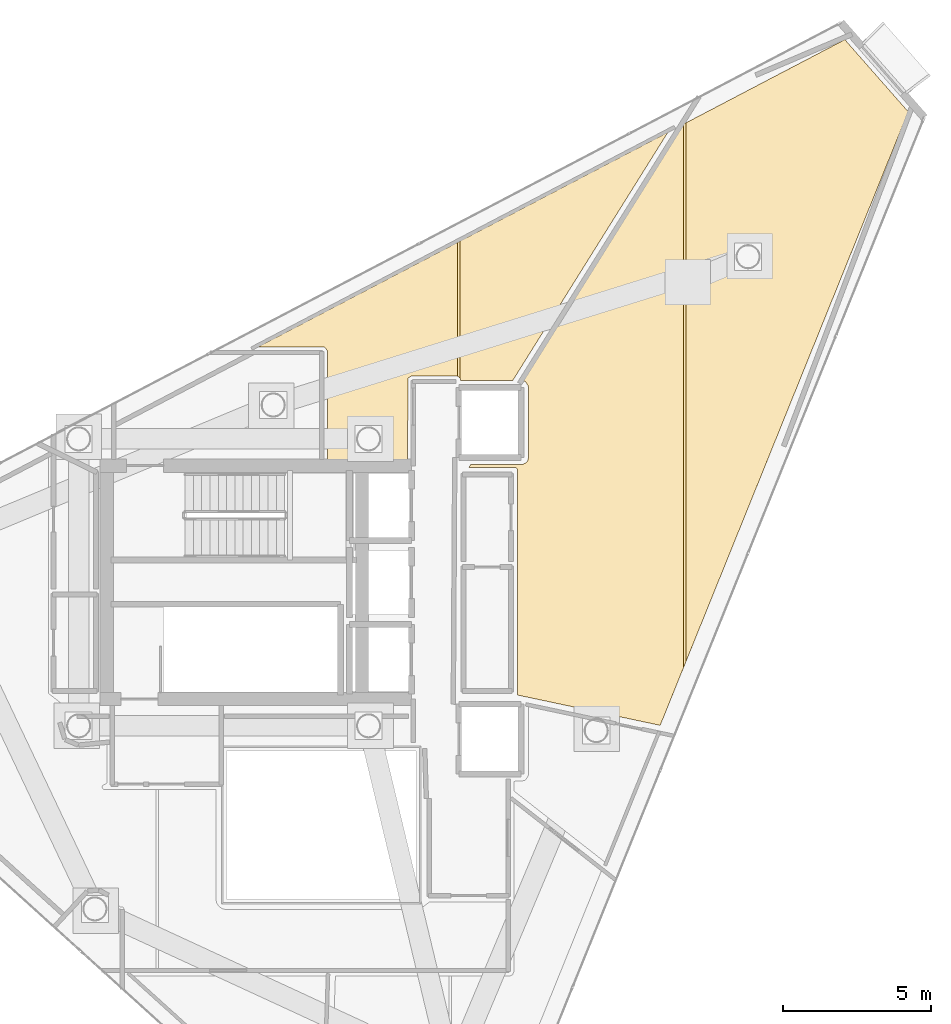
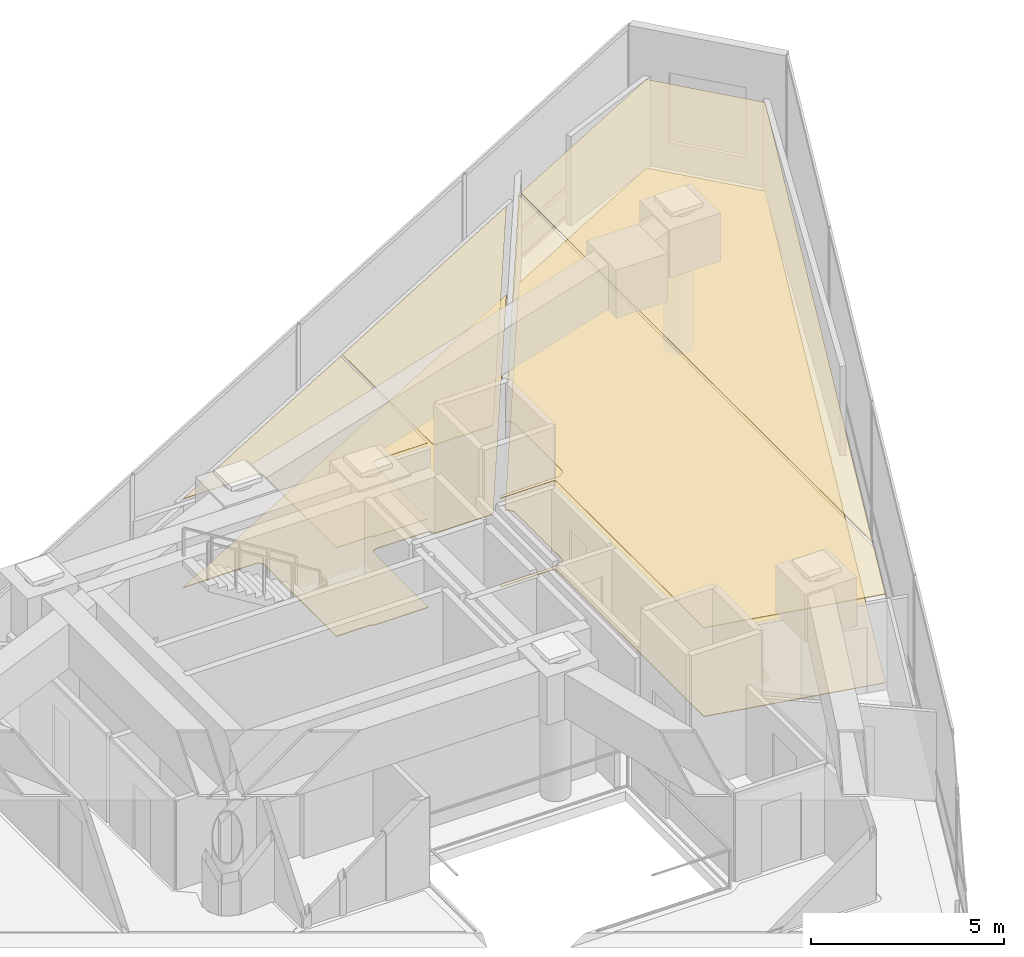
# One storey, part 17 of 17: 6 coverings.
"""IFC4 building model written with IfcOpenShell, lengths in metres."""

from ifc_helpers import new_model, si_unit, direction, frame, origin, place, context, subcontext, project, spatial, polyline, outline, extrude, material, layer, layer_set, type_object, element, save


model = new_model("IFC4")

# Units and contexts
model_context = context("Model", 3, precision=1e-05, world=origin(), true_north=direction((0.0, 1.0)))
body_context = subcontext(model_context, "Body", "Model", "MODEL_VIEW")
ifc_project = project(units=[si_unit("LENGTHUNIT", "METRE"), si_unit("AREAUNIT", "SQUARE_METRE"), si_unit("VOLUMEUNIT", "CUBIC_METRE"), si_unit("PLANEANGLEUNIT", "RADIAN"), si_unit("MASSUNIT", "GRAM", prefix="KILO")], contexts=[model_context])

# Site, building, storey
site_placement = place(None, origin())
site = spatial("IfcSite", under=ifc_project, at=site_placement, CompositionType="ELEMENT")
building_placement = place(site_placement, origin())
building = spatial("IfcBuilding", under=site, at=building_placement, Name="Qianvela Tower", CompositionType="ELEMENT")
storey_placement = place(building_placement, frame((0.0, 0.0, 351.800048828125)))
storey = spatial("IfcBuildingStorey", under=building, at=storey_placement, Name="L91", CompositionType="ELEMENT", Elevation=351.800048828125)

# Coverings
ifc_material_1 = material(Name="Perforated Mineral Acoustic Ceiling Tile")
ifc_layer_1 = layer(ifc_material_1, 0.02490234375)
ifc_layer_set_1 = layer_set([ifc_layer_1], Name="Perforated Mineral Acoustic Ceiling Tile")
covering_type_1 = type_object("IfcCoveringType", Name="COV-CEIL-ACOUSTIC-25", PredefinedType="CEILING", material=ifc_layer_set_1)
covering_1_placement = place(storey_placement, frame((0.0, 0.0, 2.794921875)))
element("IfcCovering", 1, at=covering_1_placement, inside=storey, type_object=covering_type_1, Name="L91 Acoustic Ceiling Bay 1 L91 Shared Sky Kitchen and Cafe", PredefinedType="CEILING", context=body_context, shape_type="SweptSolid", body=[
    extrude(outline(polyline([(41.85107421875, 32.679931640625), (43.580078125, 32.679931640625), (43.587890625, 32.680419921875), (43.595703125, 32.681396484375), (43.603271484375, 32.683349609375), (43.610595703125, 32.68603515625), (43.61767578125, 32.689453125), (43.734130859375, 32.751708984375), (43.740966796875, 32.755615234375), (43.747314453125, 32.760498046875), (43.7529296875, 32.765625), (43.75830078125, 32.771484375), (43.762939453125, 32.77783203125), (43.76708984375, 32.784423828125), (43.770263671875, 32.79150390625), (43.77294921875, 32.799072265625), (43.796630859375, 32.876708984375), (43.798583984375, 32.884521484375), (43.799560546875, 32.89208984375), (43.800048828125, 32.89990234375), (43.79931640625, 35.313720703125), (43.798828125, 35.321533203125), (43.7978515625, 35.329345703125), (43.7958984375, 35.3369140625), (43.793212890625, 35.34423828125), (43.789794921875, 35.351318359375), (43.785888671875, 35.358154296875), (43.71240234375, 35.468017578125), (43.707763671875, 35.47412109375), (43.70263671875, 35.47998046875), (43.69677734375, 35.4853515625), (43.6904296875, 35.489990234375), (43.683837890625, 35.493896484375), (43.6767578125, 35.497314453125), (43.669189453125, 35.5), (43.66162109375, 35.501953125), (43.654052734375, 35.503173828125), (43.617431640625, 35.506591796875), (49.04150390625, 44.187255859375), (49.05078125, 44.192138671875), (49.05078125, 25.8291015625), (48.257568359375, 23.86669921875), (43.429931640625, 24.892822265625), (43.429931640625, 32.5), (43.4296875, 32.5078125), (43.428466796875, 32.515625), (43.426513671875, 32.523193359375), (43.423828125, 32.530517578125), (43.420654296875, 32.53759765625), (43.41650390625, 32.54443359375), (43.411865234375, 32.55078125), (43.406494140625, 32.556640625), (43.40087890625, 32.561767578125), (43.394287109375, 32.56640625), (43.3876953125, 32.570556640625), (43.380615234375, 32.573974609375), (43.373291015625, 32.57666015625), (43.365478515625, 32.57861328125), (43.35791015625, 32.57958984375), (43.35009765625, 32.580078125), (41.78857421875, 32.580078125), (41.85107421875, 32.679931640625)])), origin(), (0.0, 0.0, 1.0), 0.025146484375),
])
covering_2_placement = place(storey_placement, frame((0.0, 0.0, 2.794921875)))
element("IfcCovering", 2, at=covering_2_placement, inside=storey, type_object=covering_type_1, Name="L91 Acoustic Ceiling Bay 2 L91 Shared Sky Kitchen and Cafe", PredefinedType="CEILING", context=body_context, shape_type="SweptSolid", body=[
    extrude(outline(polyline([(54.49951171875, 47.04541015625), (56.64306640625, 44.607421875), (49.130859375, 26.027099609375), (49.130859375, 44.23388671875), (54.49951171875, 47.04541015625)])), origin(), (0.0, 0.0, 1.0), 0.025146484375),
])
covering_3_placement = place(storey_placement, frame((0.0, 0.0, 2.794921875)))
element("IfcCovering", 3, at=covering_3_placement, inside=storey, type_object=covering_type_1, Name="L91 Acoustic Ceiling Bay 1 L91 Academic Seminar Room", PredefinedType="CEILING", context=body_context, shape_type="SweptSolid", body=[
    extrude(outline(polyline([(41.412841796875, 40.192626953125), (41.412841796875, 35.66552734375), (41.408447265625, 35.668701171875), (41.40087890625, 35.672607421875), (41.392822265625, 35.675537109375), (41.384765625, 35.677734375), (41.37646484375, 35.67919921875), (41.367919921875, 35.6796875), (39.8798828125, 35.679931640625), (39.872802734375, 35.6796875), (39.86572265625, 35.6787109375), (39.858642578125, 35.677001953125), (39.851806640625, 35.6748046875), (39.84521484375, 35.672119140625), (39.8388671875, 35.668701171875), (39.768310546875, 35.626220703125), (39.761474609375, 35.62158203125), (39.755126953125, 35.616455078125), (39.74951171875, 35.610595703125), (39.744384765625, 35.604248046875), (39.739990234375, 35.597412109375), (39.736083984375, 35.58984375), (39.7333984375, 35.582275390625), (39.731201171875, 35.57421875), (39.72998046875, 35.566162109375), (39.7294921875, 35.55810546875), (39.72021484375, 32.719970703125), (38.125, 32.719970703125), (38.03369140625, 32.762451171875), (38.025634765625, 32.765625), (38.017333984375, 32.76806640625), (38.0087890625, 32.76953125), (38.0, 32.77001953125), (37.010009765625, 32.77001953125), (37.010009765625, 36.5), (37.009765625, 36.50732421875), (37.0087890625, 36.514404296875), (37.007080078125, 36.521484375), (37.004638671875, 36.528564453125), (37.001708984375, 36.53515625), (36.998291015625, 36.54150390625), (36.994384765625, 36.547607421875), (36.9375, 36.624267578125), (36.93212890625, 36.630615234375), (36.92626953125, 36.636474609375), (36.919921875, 36.6416015625), (36.912841796875, 36.64599609375), (36.905517578125, 36.64990234375), (36.897705078125, 36.652587890625), (36.8896484375, 36.65478515625), (36.881591796875, 36.656005859375), (36.873291015625, 36.656494140625), (34.660400390625, 36.65673828125), (41.412841796875, 40.192626953125)])), origin(), (0.0, 0.0, 1.0), 0.025146484375),
])
covering_4_placement = place(storey_placement, frame((0.0, 0.0, 2.794921875)))
element("IfcCovering", 4, at=covering_4_placement, inside=storey, type_object=covering_type_1, Name="L91 Acoustic Ceiling Bay 2 L91 Academic Seminar Room", PredefinedType="CEILING", context=body_context, shape_type="SweptSolid", body=[
    extrude(outline(polyline([(48.515869140625, 43.911865234375), (43.27197265625, 35.52001953125), (41.515625, 35.52001953125), (41.513916015625, 35.554931640625), (41.512939453125, 35.562744140625), (41.511474609375, 35.5703125), (41.509033203125, 35.577880859375), (41.506103515625, 35.585205078125), (41.50244140625, 35.591796875), (41.498046875, 35.598388671875), (41.4931640625, 35.6044921875), (41.492919921875, 35.6044921875), (41.492919921875, 40.234619140625), (48.515869140625, 43.911865234375)])), origin(), (0.0, 0.0, 1.0), 0.025146484375),
])
ifc_material_2 = material(Name="Engineered Acoustic Oak Timber Flooring", Category="wood")
ifc_layer_2 = layer(ifc_material_2, 0.02001953125)
ifc_layer_set_2 = layer_set([ifc_layer_2], Name="Engineered Acoustic Oak Timber Flooring")
covering_type_2 = type_object("IfcCoveringType", Name="COV-FLOOR-OAK-20", PredefinedType="FLOORING", material=ifc_layer_set_2)
covering_5_placement = place(storey_placement, origin())
element("IfcCovering", 5, at=covering_5_placement, inside=storey, type_object=covering_type_2, Name="L91 Finish Flooring L91 Shared Sky Kitchen and Cafe", PredefinedType="FLOORING", context=body_context, shape_type="SweptSolid", body=[
    extrude(outline(polyline([(41.78857421875, 32.580078125), (41.85107421875, 32.679931640625), (43.580078125, 32.679931640625), (43.587890625, 32.680419921875), (43.595703125, 32.681396484375), (43.603271484375, 32.683349609375), (43.610595703125, 32.68603515625), (43.61767578125, 32.689453125), (43.734130859375, 32.751708984375), (43.740966796875, 32.755615234375), (43.747314453125, 32.760498046875), (43.7529296875, 32.765625), (43.75830078125, 32.771484375), (43.762939453125, 32.77783203125), (43.76708984375, 32.784423828125), (43.770263671875, 32.79150390625), (43.77294921875, 32.799072265625), (43.796630859375, 32.876708984375), (43.798583984375, 32.884521484375), (43.799560546875, 32.89208984375), (43.800048828125, 32.89990234375), (43.79931640625, 35.313720703125), (43.798828125, 35.321533203125), (43.7978515625, 35.329345703125), (43.7958984375, 35.3369140625), (43.793212890625, 35.34423828125), (43.789794921875, 35.351318359375), (43.785888671875, 35.358154296875), (43.71240234375, 35.468017578125), (43.707763671875, 35.47412109375), (43.70263671875, 35.47998046875), (43.69677734375, 35.4853515625), (43.6904296875, 35.489990234375), (43.683837890625, 35.493896484375), (43.6767578125, 35.497314453125), (43.669189453125, 35.5), (43.66162109375, 35.501953125), (43.654052734375, 35.503173828125), (43.617431640625, 35.506591796875), (49.04150390625, 44.187255859375), (54.49951171875, 47.04541015625), (56.64306640625, 44.607421875), (48.257568359375, 23.86669921875), (43.429931640625, 24.892822265625), (43.429931640625, 32.5), (43.4296875, 32.5078125), (43.428466796875, 32.515625), (43.426513671875, 32.523193359375), (43.423828125, 32.530517578125), (43.420654296875, 32.53759765625), (43.41650390625, 32.54443359375), (43.411865234375, 32.55078125), (43.406494140625, 32.556640625), (43.40087890625, 32.561767578125), (43.394287109375, 32.56640625), (43.3876953125, 32.570556640625), (43.380615234375, 32.573974609375), (43.373291015625, 32.57666015625), (43.365478515625, 32.57861328125), (43.35791015625, 32.57958984375), (43.35009765625, 32.580078125), (41.78857421875, 32.580078125)])), origin(), (0.0, 0.0, 1.0), 0.02001953125),
])
covering_6_placement = place(storey_placement, origin())
element("IfcCovering", 6, at=covering_6_placement, inside=storey, type_object=covering_type_2, Name="L91 Finish Flooring L91 Academic Seminar Room", PredefinedType="FLOORING", context=body_context, shape_type="SweptSolid", body=[
    extrude(outline(polyline([(34.660400390625, 36.65673828125), (48.515869140625, 43.911865234375), (43.27197265625, 35.52001953125), (41.515625, 35.52001953125), (41.513916015625, 35.554931640625), (41.512939453125, 35.562744140625), (41.511474609375, 35.5703125), (41.509033203125, 35.577880859375), (41.506103515625, 35.585205078125), (41.50244140625, 35.591796875), (41.498046875, 35.598388671875), (41.4931640625, 35.6044921875), (41.487548828125, 35.60986328125), (41.481689453125, 35.614990234375), (41.41552734375, 35.663818359375), (41.408447265625, 35.668701171875), (41.40087890625, 35.672607421875), (41.392822265625, 35.675537109375), (41.384765625, 35.677734375), (41.37646484375, 35.67919921875), (41.367919921875, 35.6796875), (39.8798828125, 35.679931640625), (39.872802734375, 35.6796875), (39.86572265625, 35.6787109375), (39.858642578125, 35.677001953125), (39.851806640625, 35.6748046875), (39.84521484375, 35.672119140625), (39.8388671875, 35.668701171875), (39.768310546875, 35.626220703125), (39.761474609375, 35.62158203125), (39.755126953125, 35.616455078125), (39.74951171875, 35.610595703125), (39.744384765625, 35.604248046875), (39.739990234375, 35.597412109375), (39.736083984375, 35.58984375), (39.7333984375, 35.582275390625), (39.731201171875, 35.57421875), (39.72998046875, 35.566162109375), (39.7294921875, 35.55810546875), (39.72021484375, 32.719970703125), (38.125, 32.719970703125), (38.03369140625, 32.762451171875), (38.025634765625, 32.765625), (38.017333984375, 32.76806640625), (38.0087890625, 32.76953125), (38.0, 32.77001953125), (37.010009765625, 32.77001953125), (37.010009765625, 36.5), (37.009765625, 36.50732421875), (37.0087890625, 36.514404296875), (37.007080078125, 36.521484375), (37.004638671875, 36.528564453125), (37.001708984375, 36.53515625), (36.998291015625, 36.54150390625), (36.994384765625, 36.547607421875), (36.9375, 36.624267578125), (36.93212890625, 36.630615234375), (36.92626953125, 36.636474609375), (36.919921875, 36.6416015625), (36.912841796875, 36.64599609375), (36.905517578125, 36.64990234375), (36.897705078125, 36.652587890625), (36.8896484375, 36.65478515625), (36.881591796875, 36.656005859375), (36.873291015625, 36.656494140625), (34.660400390625, 36.65673828125)])), origin(), (0.0, 0.0, 1.0), 0.02001953125),
])

save(model, "model.ifc")
